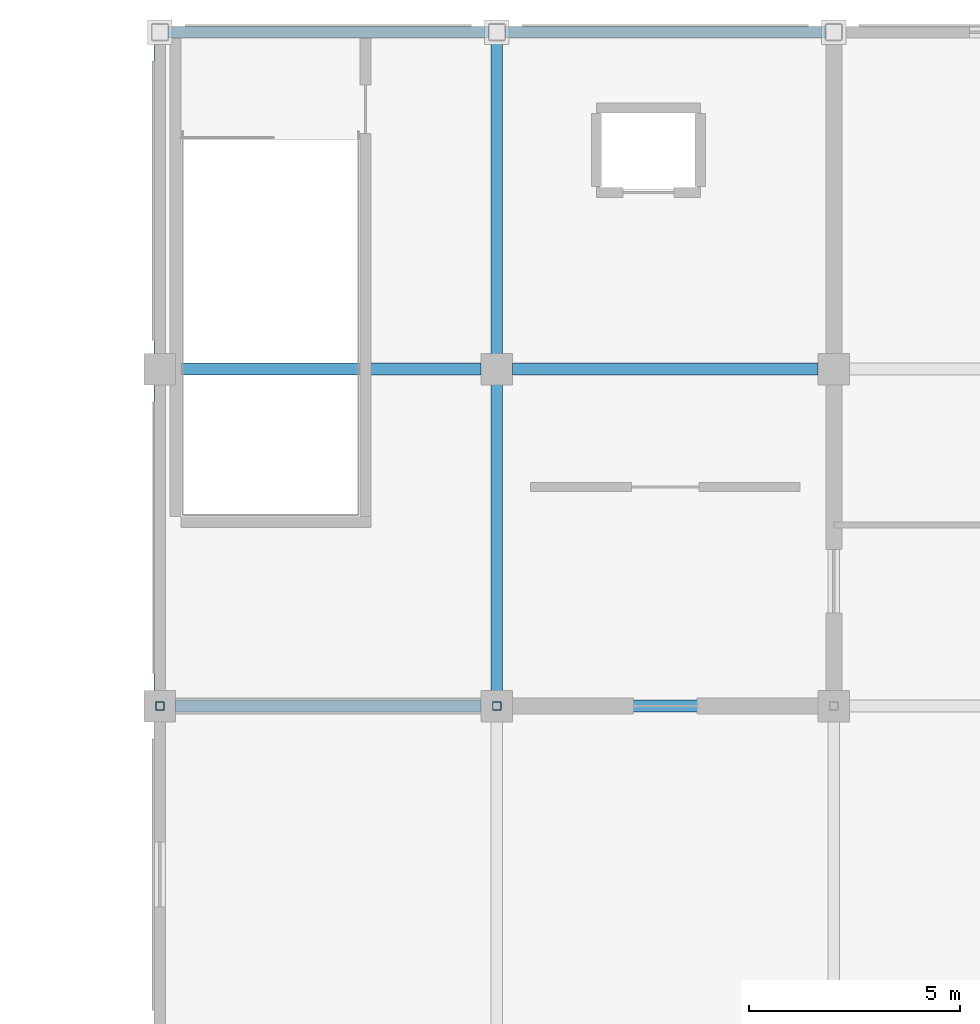
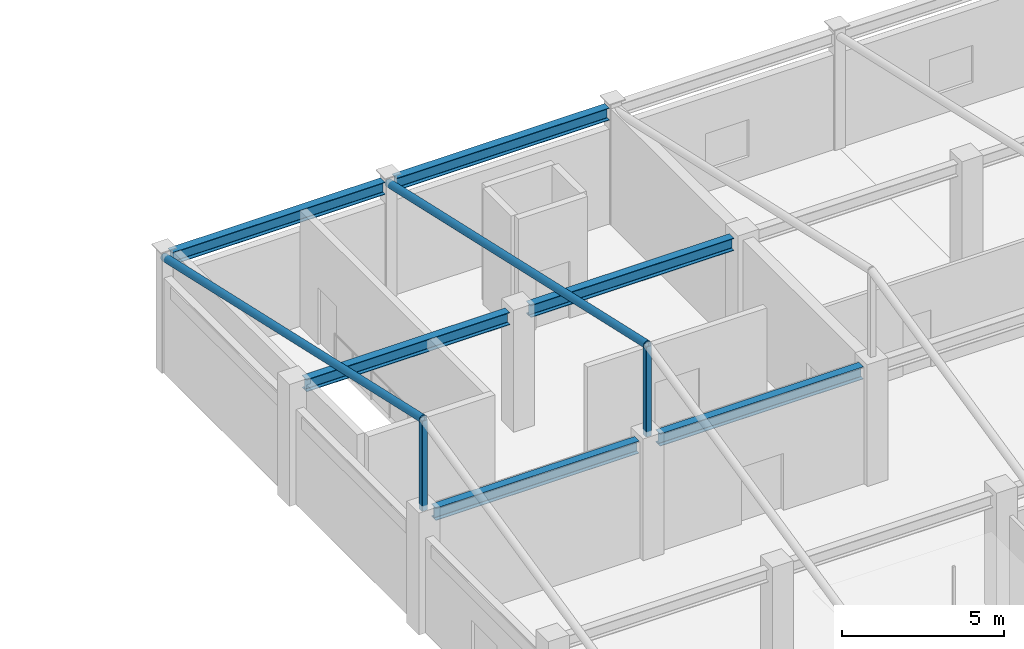
# One storey, part 5 of 16: 6 beams, 4 members.
"""IFC4 building model written with IfcOpenShell, lengths in metres."""

from ifc_helpers import new_model, si_unit, direction, frame, origin, origin_2d, place, context, subcontext, project, spatial, hollow_rectangle, hollow_circle, i_section, extrude, material, material_profile, profile_set, type_object, element, save


model = new_model("IFC4")

# Units and contexts
model_context = context("Model", 3, precision=1e-05, world=origin(), true_north=direction((0.0, 1.0)))
body_context = subcontext(model_context, "Body", "Model", "MODEL_VIEW")
ifc_project = project(units=[si_unit("LENGTHUNIT", "METRE"), si_unit("AREAUNIT", "SQUARE_METRE"), si_unit("VOLUMEUNIT", "CUBIC_METRE"), si_unit("PLANEANGLEUNIT", "RADIAN"), si_unit("MASSUNIT", "GRAM", prefix="KILO")], contexts=[model_context])

# Site, building, storey
site_placement = place(None, origin())
site = spatial("IfcSite", under=ifc_project, at=site_placement, CompositionType="ELEMENT")
building_placement = place(site_placement, origin())
building = spatial("IfcBuilding", under=site, at=building_placement, Name="Solmirada Galleria", CompositionType="ELEMENT")
storey_placement = place(building_placement, frame((0.0, 0.0, 32.89990234375)))
storey = spatial("IfcBuildingStorey", under=building, at=storey_placement, Name="L07", CompositionType="ELEMENT", Elevation=32.89990234375)

# Beams
ifc_material_1 = material(Name="Steel S355 / ASTM A992 Grade 50", Category="steel")
ifc_material_profile_1 = material_profile(ifc_material_1, i_section(OverallWidth=0.281982421875, OverallDepth=0.467041015625, WebThickness=0.01220703125, FlangeThickness=0.01953125, FilletRadius=0.013916015625, at=origin_2d()), Name="W18X86")
ifc_profile_set_1 = profile_set([ifc_material_profile_1], Name="Steel S355 / ASTM A992 Grade 50")
beam_type = type_object("IfcBeamType", Name="BM-GIRD-W18A", PredefinedType="BEAM", material=ifc_profile_set_1)
for number, where, z_axis, x_axis, name in (
    (1, (128.375, 104.0, 4.150146484375), (1.0, 0.0, 0.0), (0.0, 1.0, 0.0), "NE roof tie girder X=128..136"),
    (2, (128.375, 112.0, 4.150146484375), (1.0, 0.0, 0.0), (0.0, 1.0, 0.0), "NE roof tie girder X=128..136"),
):
    element("IfcBeam", number, at=place(storey_placement, frame(where, z_axis=z_axis, x_axis=x_axis)), inside=storey, type_object=beam_type, Name=name, PredefinedType="BEAM", context=body_context, shape_type="SweptSolid", body=[
        extrude(i_section(OverallWidth=0.281982421875, OverallDepth=0.467041015625, WebThickness=0.01220703125, FlangeThickness=0.01953125, FilletRadius=0.013916015625, at=origin_2d()), origin(), (0.0, 0.0, 1.0), 7.25),
    ])
beam_1_placement = place(storey_placement, frame((128.202880859375, 120.0, 4.150146484375), z_axis=(1.0, 0.0, 0.0), x_axis=(0.0, 1.0, 0.0)))
element("IfcBeam", 3, at=beam_1_placement, inside=storey, type_object=beam_type, Name="NE roof tie girder X=128..136", PredefinedType="BEAM", context=body_context, shape_type="SweptSolid", body=[
    extrude(i_section(OverallWidth=0.281982421875, OverallDepth=0.467041015625, WebThickness=0.01220703125, FlangeThickness=0.01953125, FilletRadius=0.013916015625, at=origin_2d()), origin(), (0.0, 0.0, 1.0), 7.59423828125),
])
for number, where, z_axis, x_axis, name in (
    (4, (136.375, 104.0, 4.150146484375), (1.0, 0.0, 0.0), (0.0, 1.0, 0.0), "NE roof tie girder X=136..144"),
    (5, (136.375, 112.0, 4.150146484375), (1.0, 0.0, 0.0), (0.0, 1.0, 0.0), "NE roof tie girder X=136..144"),
):
    element("IfcBeam", number, at=place(storey_placement, frame(where, z_axis=z_axis, x_axis=x_axis)), inside=storey, type_object=beam_type, Name=name, PredefinedType="BEAM", context=body_context, shape_type="SweptSolid", body=[
        extrude(i_section(OverallWidth=0.281982421875, OverallDepth=0.467041015625, WebThickness=0.01220703125, FlangeThickness=0.01953125, FilletRadius=0.013916015625, at=origin_2d()), origin(), (0.0, 0.0, 1.0), 7.25),
    ])
beam_2_placement = place(storey_placement, frame((136.202880859375, 120.0, 4.150146484375), z_axis=(1.0, 0.0, 0.0), x_axis=(0.0, 1.0, 0.0)))
element("IfcBeam", 6, at=beam_2_placement, inside=storey, type_object=beam_type, Name="NE roof tie girder X=136..144", PredefinedType="BEAM", context=body_context, shape_type="SweptSolid", body=[
    extrude(i_section(OverallWidth=0.281982421875, OverallDepth=0.467041015625, WebThickness=0.01220703125, FlangeThickness=0.01953125, FilletRadius=0.013916015625, at=origin_2d()), origin(), (0.0, 0.0, 1.0), 7.59423828125),
])

# Members
ifc_material_2 = material(Name="Steel S355 / ASTM A500 Grade C", Category="steel")
ifc_material_profile_2 = material_profile(ifc_material_2, hollow_rectangle(XDim=0.202880859375, YDim=0.202880859375, WallThickness=0.0087890625, InnerFilletRadius=0.0087890625, OuterFilletRadius=0.017822265625, at=origin_2d()), Name="HSS8X8X3/8")
ifc_profile_set_2 = profile_set([ifc_material_profile_2], Name="Steel S355 / ASTM A500 Grade C")
member_type_1 = type_object("IfcMemberType", Name="MEM-CBF-BRACE2", PredefinedType="BRACE", material=ifc_profile_set_2)
for number, where, z_axis, x_axis, name in (
    (7, (128.0, 104.0, 4.400146484375), (0.0, 0.0, 1.0), (1.0, 0.0, 0.0), "NE pediment ridge post X=128"),
    (8, (136.0, 104.0, 4.400146484375), (0.0, 0.0, 1.0), (1.0, 0.0, 0.0), "NE pediment ridge post X=136"),
):
    element("IfcMember", number, at=place(storey_placement, frame(where, z_axis=z_axis, x_axis=x_axis)), inside=storey, type_object=member_type_1, Name=name, PredefinedType="BRACE", context=body_context, shape_type="SweptSolid", body=[
        extrude(hollow_rectangle(XDim=0.202880859375, YDim=0.202880859375, WallThickness=0.0087890625, InnerFilletRadius=0.0087890625, OuterFilletRadius=0.017822265625, at=origin_2d()), origin(), (0.0, 0.0, 1.0), 3.39990234375),
    ])
ifc_material_profile_3 = material_profile(ifc_material_2, hollow_circle(Radius=0.136474609375, WallThickness=0.0087890625, at=origin_2d()), Name="HSS10.750X0.375")
ifc_profile_set_3 = profile_set([ifc_material_profile_3], Name="Steel S355 / ASTM A500 Grade C")
member_type_2 = type_object("IfcMemberType", Name="MEM-FH-CHORD", PredefinedType="CHORD", material=ifc_profile_set_3)
for number, where, z_axis, x_axis, name in (
    (9, (128.0, 104.0, 7.800048828125), (0.0, 0.97561166892, -0.219503693515), (-1.0, 0.0, 0.0), "NE pediment north rafter X=128"),
    (10, (136.0, 104.0, 7.800048828125), (0.0, 0.97561166892, -0.219503693515), (-1.0, 0.0, 0.0), "NE pediment north rafter X=136"),
):
    element("IfcMember", number, at=place(storey_placement, frame(where, z_axis=z_axis, x_axis=x_axis)), inside=storey, type_object=member_type_2, Name=name, PredefinedType="CHORD", context=body_context, shape_type="SweptSolid", body=[
        extrude(hollow_circle(Radius=0.136474609375, WallThickness=0.0087890625, at=origin_2d()), origin(), (0.0, 0.0, 1.0), 16.39990234375),
    ])

save(model, "model.ifc")
